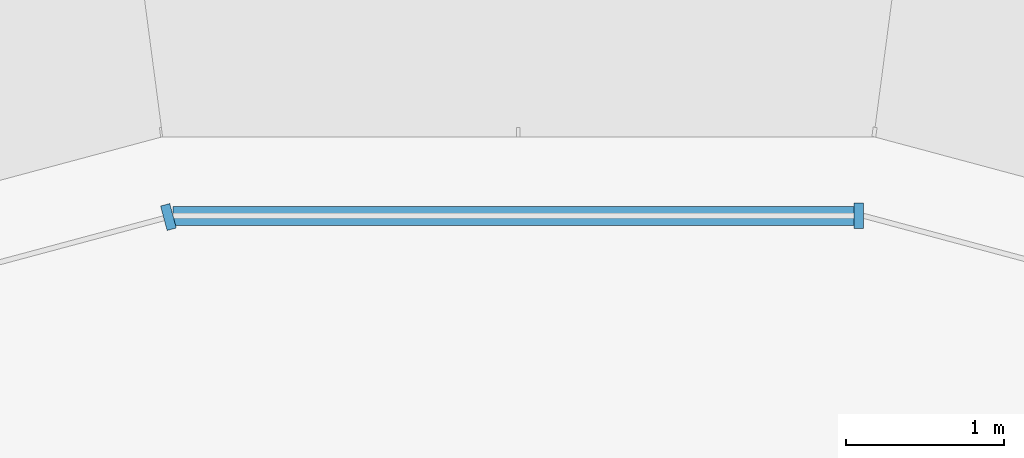
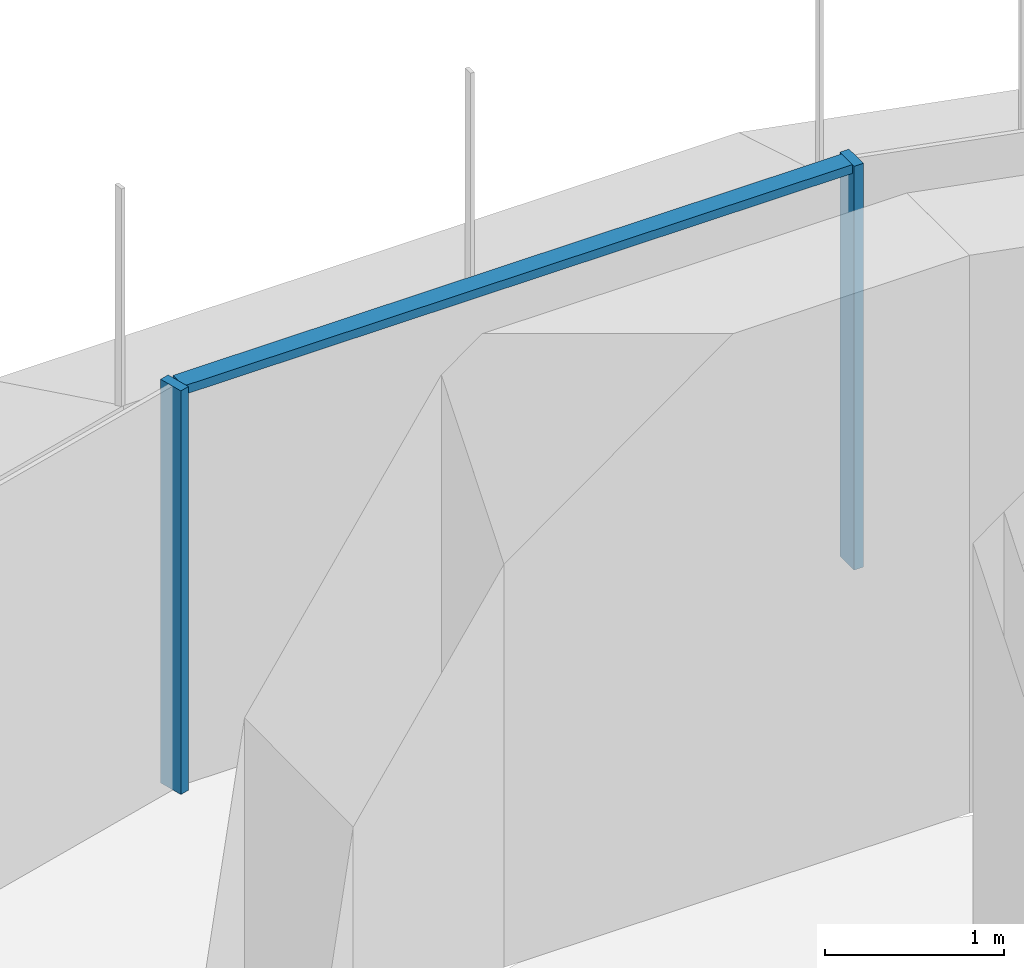
# One storey, part 11 of 20: 3 members, 2 elements without a shape of their own.
"""IFC4 building model written with IfcOpenShell, lengths in metres."""

import ifcopenshell
import ifcopenshell.guid

model = None  # the IFC model being written
_history = None  # IfcOwnerHistory: only IFC2X3 demands one
_inside = {}  # id of a spatial element -> (the spatial element, [elements in it])
_under = {}  # id of a project, library or spatial element -> (it, [spatial elements below it])
_declared = {}  # id of a project -> (the project, [libraries it declares])
_typed = {}  # id of a type object -> (the type object, [elements of that type])
_made_of = {}  # id of a material, layer set ... -> (it, [elements and type objects made of it])


def new_model(schema):
    """Start an empty IFC model of exactly this schema.

    Asked for "IFC4X3", IfcOpenShell would pick the latest addendum, in which some entities
    have other attributes; the version numbers below select the first issue.
    IFC2X3 requires an IfcOwnerHistory on every rooted entity: one is made here for all.
    """
    global model, _history
    if schema == "IFC4X3":
        model = ifcopenshell.file(schema_version=(4, 3, 0, 0))
    else:
        model = ifcopenshell.file(schema=schema)
    _inside.clear()
    _under.clear()
    _declared.clear()
    _typed.clear()
    _made_of.clear()
    _history = None
    if model.schema == "IFC2X3":
        org = make("IfcOrganization", Name="unknown")
        user = make(
            "IfcPersonAndOrganization",
            ThePerson=make("IfcPerson", FamilyName="unknown"),
            TheOrganization=org,
        )
        app = make(
            "IfcApplication",
            ApplicationDeveloper=org,
            Version="unknown",
            ApplicationFullName="unknown",
            ApplicationIdentifier="unknown",
        )
        _history = make(
            "IfcOwnerHistory",
            OwningUser=user,
            OwningApplication=app,
            ChangeAction="ADDED",
            CreationDate=0,
        )
    return model


def make(cls, **values):
    """One entity of the class cls with the attributes given. An attribute that is None is left unset."""
    return model.create_entity(
        cls, **{name: value for name, value in values.items() if value is not None}
    )


def rooted(cls, **values):
    """An entity with a GlobalId (a new one), such as an element, a storey or a relation."""
    return make(cls, GlobalId=ifcopenshell.guid.new(), OwnerHistory=_history, **values)


def si_unit(unit_type, name, prefix=None):
    """IfcSIUnit, for example si_unit("LENGTHUNIT", "METRE", prefix="MILLI")."""
    return make("IfcSIUnit", UnitType=unit_type, Prefix=prefix, Name=name)


def assignment(units):
    """IfcUnitAssignment: the units of a project."""
    return None if units is None else make("IfcUnitAssignment", Units=units)


def point(xyz):
    """IfcCartesianPoint."""
    return None if xyz is None else make("IfcCartesianPoint", Coordinates=xyz)


def direction(xyz):
    """IfcDirection."""
    return None if xyz is None else make("IfcDirection", DirectionRatios=xyz)


def frame(location, z_axis=None, x_axis=None):
    """IfcAxis2Placement3D, a coordinate frame: its origin and axes. An axis left out is left unset."""
    return make(
        "IfcAxis2Placement3D",
        Location=point(location),
        Axis=direction(z_axis),
        RefDirection=direction(x_axis),
    )


def origin():
    """The frame at (0, 0, 0) with its axes left unset."""
    return frame((0.0, 0.0, 0.0))


def place(relative_to, where):
    """IfcLocalPlacement: puts the frame where relative to a parent placement (None: the world)."""
    return make(
        "IfcLocalPlacement", PlacementRelTo=relative_to, RelativePlacement=where
    )


def context(
    kind, dimensions, precision=None, world=None, true_north=None, identifier=None
):
    """IfcGeometricRepresentationContext, for example the 3D "Model" context."""
    return make(
        "IfcGeometricRepresentationContext",
        ContextIdentifier=identifier,
        ContextType=kind,
        CoordinateSpaceDimension=dimensions,
        Precision=precision,
        WorldCoordinateSystem=world,
        TrueNorth=true_north,
    )


def subcontext(parent, identifier, kind, view, scale=None):
    """IfcGeometricRepresentationSubContext, for example "Body" below "Model"."""
    return make(
        "IfcGeometricRepresentationSubContext",
        ContextIdentifier=identifier,
        ContextType=kind,
        ParentContext=parent,
        TargetScale=scale,
        TargetView=view,
    )


def project(units=None, contexts=None):
    """IfcProject with its units and contexts."""
    return rooted(
        "IfcProject",
        Name="project",
        RepresentationContexts=contexts,
        UnitsInContext=assignment(units),
    )


def spatial(cls, under=None, at=None, **own):
    """A site, building, storey or space (cls), placed at a placement, below another one or the project."""
    s = rooted(cls, ObjectPlacement=at, **own)
    if under is not None:
        _under.setdefault(under.id(), (under, []))[1].append(s)
    return s


def polyline(points):
    """IfcPolyline through the points."""
    return make("IfcPolyline", Points=[point(p) for p in points])


def outline(outer, holes=None, kind="AREA"):
    """IfcArbitraryClosedProfileDef: a profile drawn as a closed curve; with holes, ...WithVoids."""
    if holes is None:
        return make("IfcArbitraryClosedProfileDef", ProfileType=kind, OuterCurve=outer)
    return make(
        "IfcArbitraryProfileDefWithVoids",
        ProfileType=kind,
        OuterCurve=outer,
        InnerCurves=holes,
    )


def extrude(swept, where, along, depth):
    """IfcExtrudedAreaSolid: the profile swept, set in the frame where, extruded along a direction by depth."""
    return make(
        "IfcExtrudedAreaSolid",
        SweptArea=swept,
        Position=where,
        ExtrudedDirection=direction(along),
        Depth=depth,
    )


def shape(context_of_items, identifier, shape_type, items):
    """IfcShapeRepresentation: the items that make up one representation, for example the "Body"."""
    return make(
        "IfcShapeRepresentation",
        ContextOfItems=context_of_items,
        RepresentationIdentifier=identifier,
        RepresentationType=shape_type,
        Items=items,
    )


def source(mapping_origin, context_of_items, identifier, shape_type, items):
    """IfcRepresentationMap: a shape defined once, which mapped items show again and again."""
    return make(
        "IfcRepresentationMap",
        MappingOrigin=mapping_origin,
        MappedRepresentation=shape(context_of_items, identifier, shape_type, items),
    )


def transform(
    local_origin,
    x_axis=None,
    y_axis=None,
    z_axis=None,
    scale=None,
    scale2=None,
    scale3=None,
    uniform=True,
):
    """IfcCartesianTransformationOperator3D, or its non-uniform kind. x_axis, y_axis, z_axis: its Axis1, 2, 3."""
    if uniform:
        return make(
            "IfcCartesianTransformationOperator3D",
            Axis1=direction(x_axis),
            Axis2=direction(y_axis),
            LocalOrigin=point(local_origin),
            Scale=scale,
            Axis3=direction(z_axis),
        )
    return make(
        "IfcCartesianTransformationOperator3DnonUniform",
        Axis1=direction(x_axis),
        Axis2=direction(y_axis),
        LocalOrigin=point(local_origin),
        Scale=scale,
        Axis3=direction(z_axis),
        Scale2=scale2,
        Scale3=scale3,
    )


def mapped(mapping_source, mapping_target):
    """IfcMappedItem: shows the shape of a source again, moved by a transform."""
    return make(
        "IfcMappedItem", MappingSource=mapping_source, MappingTarget=mapping_target
    )


def material(Name=None, Category=None):
    """IfcMaterial."""
    return make("IfcMaterial", Name=Name, Category=Category)


def made_of(thing, what):
    """Note that an element or type object is made of a material, layer set ...; save() writes the relation."""
    if what is not None:
        _made_of.setdefault(what.id(), (what, []))[1].append(thing)
    return thing


def type_object(cls, material=None, **own):
    """A type object (cls), such as IfcWallType, which elements share."""
    return made_of(rooted(cls, **own), material)


def element(
    cls,
    number,
    at=None,
    inside=None,
    cuts=None,
    type_object=None,
    material=None,
    context=None,
    identifier="Body",
    shape_type=None,
    held_by="IfcProductDefinitionShape",
    body=None,
    shapes=None,
    **own,
):
    """One element of the class cls, such as IfcWall. Its Tag is "e" and its number.

    at: its placement. inside: the storey or other place that contains it. cuts: it is an
    opening in that element (IfcRelVoidsElement). A single representation is given by context,
    identifier, shape_type and body (its items); several are given by shapes. held_by: the class
    of the entity that holds the representations. save() writes the other relations.
    """
    e = rooted(cls, Tag="e%d" % number, ObjectPlacement=at, **own)
    if body is not None:
        shapes = [shape(context, identifier, shape_type, body)]
    if shapes is not None:
        e.Representation = make(held_by, Representations=shapes)
    if inside is not None:
        _inside.setdefault(inside.id(), (inside, []))[1].append(e)
    if cuts is not None:
        rooted(
            "IfcRelVoidsElement", RelatingBuildingElement=cuts, RelatedOpeningElement=e
        )
    if type_object is not None:
        _typed.setdefault(type_object.id(), (type_object, []))[1].append(e)
    return made_of(e, material)


def aggregate(whole, parts):
    """IfcRelAggregates: a whole, such as a stair, and the parts it consists of."""
    return rooted("IfcRelAggregates", RelatingObject=whole, RelatedObjects=parts)


def save(model, path):
    """Write the relations noted so far, then the file.

    IfcRelAggregates (storeys below a building ...), IfcRelContainedInSpatialStructure (elements
    in a storey), IfcRelDefinesByType, IfcRelAssociatesMaterial and IfcRelDeclares: one each for
    every whole, place, type object, material and project.
    """
    for whole, parts in _under.values():
        aggregate(whole, parts)
    for where, things in _inside.values():
        rooted(
            "IfcRelContainedInSpatialStructure",
            RelatedElements=things,
            RelatingStructure=where,
        )
    for kind, things in _typed.values():
        rooted("IfcRelDefinesByType", RelatedObjects=things, RelatingType=kind)
    for what, things in _made_of.values():
        rooted("IfcRelAssociatesMaterial", RelatedObjects=things, RelatingMaterial=what)
    for by, libraries in _declared.values():
        rooted("IfcRelDeclares", RelatingContext=by, RelatedDefinitions=libraries)
    model.write(path)


model = new_model("IFC4")

# Units and contexts
model_context = context("Model", 3, precision=1e-05, world=origin(), true_north=direction((0.0, 1.0)))
body_context = subcontext(model_context, "Body", "Model", "MODEL_VIEW")
ifc_project = project(units=[si_unit("LENGTHUNIT", "METRE"), si_unit("AREAUNIT", "SQUARE_METRE"), si_unit("VOLUMEUNIT", "CUBIC_METRE"), si_unit("PLANEANGLEUNIT", "RADIAN"), si_unit("MASSUNIT", "GRAM", prefix="KILO")], contexts=[model_context])

# Site, building, storey
site_placement = place(None, origin())
site = spatial("IfcSite", under=ifc_project, at=site_placement, CompositionType="ELEMENT")
building_placement = place(site_placement, origin())
building = spatial("IfcBuilding", under=site, at=building_placement, Name="Zarbagh Exchange Tower", CompositionType="ELEMENT")
storey_placement = place(building_placement, frame((0.0, 0.0, 156.199951171875)))
storey = spatial("IfcBuildingStorey", under=building, at=storey_placement, Name="L37", CompositionType="ELEMENT", Elevation=156.199951171875)

# Curtain wall, member
ifc_material_1 = material(Name="Anodised aluminium frame and glazing", Category="aluminium")
curtain_wall_type = type_object("IfcCurtainWallType", Name="CWB Ribbon glazing, upper zones", PredefinedType="NOTDEFINED", material=ifc_material_1)
curtain_wall_1_placement = place(storey_placement, origin())
curtain_wall_1 = element("IfcCurtainWall", 1, at=curtain_wall_1_placement, inside=storey, type_object=curtain_wall_type, Name="CWB24 curtain wall", PredefinedType="NOTDEFINED")
ifc_material_2 = material(Name="Anodised aluminium frame", Category="aluminium")
member_type_1 = type_object("IfcMemberType", Name="MUB Mullion, anodised aluminium frame", PredefinedType="MULLION", material=ifc_material_2)
shared_shape_1 = source(origin(), body_context, "Body", "SweptSolid", [
    extrude(outline(polyline([(0.0, -0.080078125), (0.06005859375, -0.080078125), (0.06005859375, 0.080078125), (0.0, 0.080078125), (0.0, -0.080078125)])), origin(), (0.0, 0.0, 1.0), 2.75),
])
placement = place(storey_placement, origin())
member_1 = element("IfcMember", 2, at=placement, type_object=member_type_1, Name="CWB24 mullion 1.1", PredefinedType="MULLION", context=body_context, shape_type="MappedRepresentation", body=[
    mapped(shared_shape_1, transform((2.18408203125, 31.0, 0.0), x_axis=(-1.0, 0.0, 0.0), y_axis=(0.0, -1.0, 0.0), z_axis=(0.0, 0.0, 1.0))),
])

curtain_wall_2_placement = place(storey_placement, origin())
curtain_wall_2 = element("IfcCurtainWall", 3, at=curtain_wall_2_placement, inside=storey, type_object=curtain_wall_type, Name="CWB25 curtain wall", PredefinedType="NOTDEFINED")
member_2 = element("IfcMember", 4, at=placement, type_object=member_type_1, Name="CWB25 mullion 1.1", PredefinedType="MULLION", context=body_context, shape_type="MappedRepresentation", body=[
    mapped(shared_shape_1, transform((-2.18408203125, 31.0, 0.0), x_axis=(-0.965924289636, -0.258824779902, 0.0), y_axis=(0.258824779902, -0.965924289636, 0.0), z_axis=(0.0, 0.0, 1.0))),
])
aggregate(curtain_wall_2, [member_2])

# Member
member_type_2 = type_object("IfcMemberType", Name="TRB Transom, anodised aluminium frame", PredefinedType="USERDEFINED", material=ifc_material_2)
shared_shape_2 = source(origin(), body_context, "Body", "SweptSolid", [
    extrude(outline(polyline([(-0.06005859375, -0.06005859375), (0.0, -0.06005859375), (0.0, 0.06005859375), (-0.06005859375, 0.06005859375), (-0.06005859375, -0.06005859375)])), origin(), (0.0, 0.0, 1.0), 4.308349609375),
])
member_3 = element("IfcMember", 5, at=placement, type_object=member_type_2, Name="CWB24 transom 1.1", ObjectType="TRANSOM", PredefinedType="USERDEFINED", context=body_context, shape_type="MappedRepresentation", body=[
    mapped(shared_shape_2, transform((2.124267578125, 31.0, 2.75), x_axis=(0.0, 0.0, 1.0), y_axis=(0.0, 1.0, 0.0), z_axis=(-1.0, 0.0, 0.0))),
])

aggregate(curtain_wall_1, [member_1, member_3])

save(model, "model.ifc")
